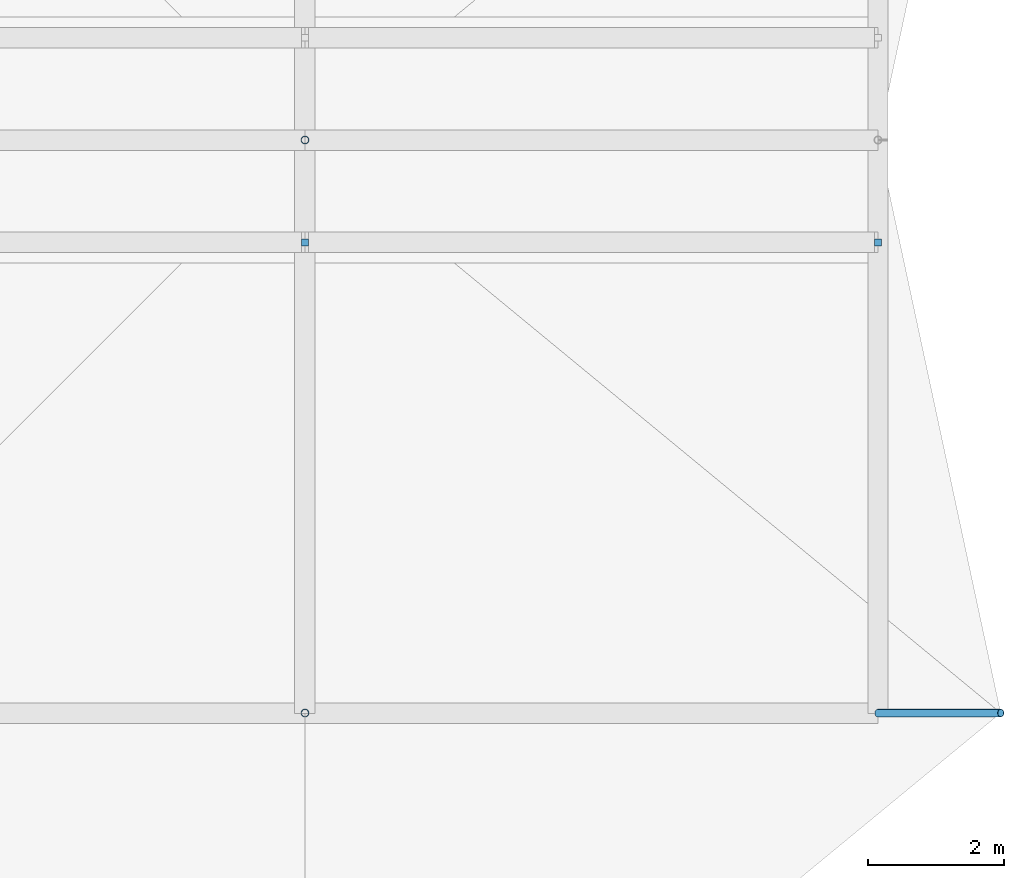
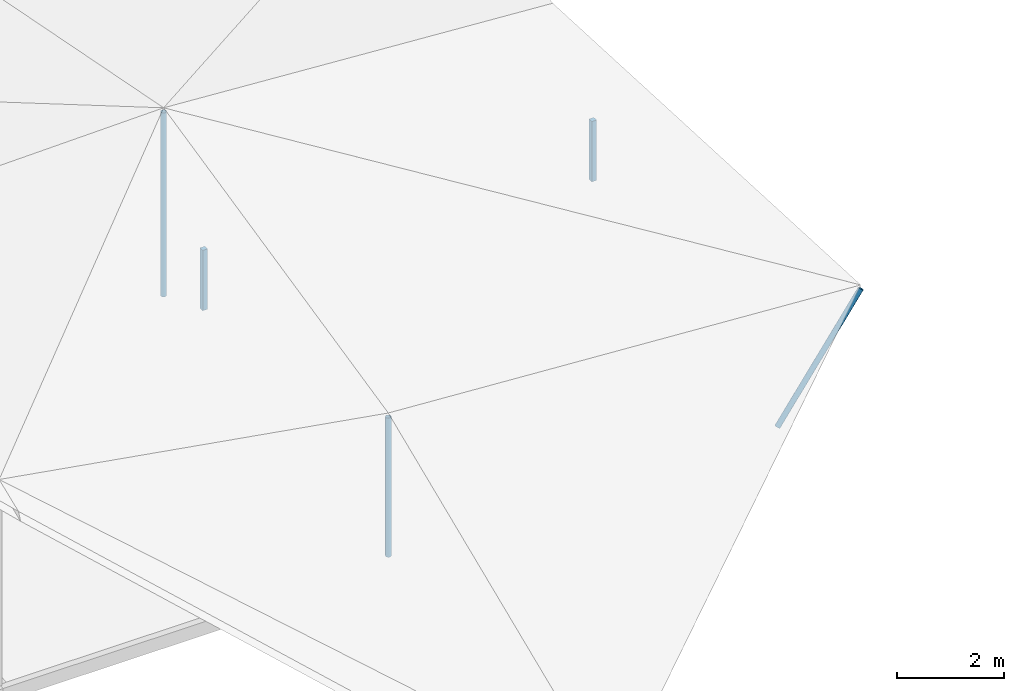
# One storey, part 36 of 46: 5 discrete accessories.
"""IFC4 building model written with IfcOpenShell, lengths in metres."""

from ifc_helpers import new_model, si_unit, direction, frame, origin, origin_2d, place, context, subcontext, project, spatial, rectangle, hollow_circle, extrude, material, layer, layer_set, material_profile, profile_set, type_object, element, save


model = new_model("IFC4")

# Units and contexts
model_context = context("Model", 3, precision=1e-05, world=origin(), true_north=direction((0.0, 1.0)))
body_context = subcontext(model_context, "Body", "Model", "MODEL_VIEW")
ifc_project = project(units=[si_unit("LENGTHUNIT", "METRE"), si_unit("AREAUNIT", "SQUARE_METRE"), si_unit("VOLUMEUNIT", "CUBIC_METRE"), si_unit("PLANEANGLEUNIT", "RADIAN"), si_unit("MASSUNIT", "GRAM", prefix="KILO")], contexts=[model_context])

# Site, building, storey
site_placement = place(None, origin())
site = spatial("IfcSite", under=ifc_project, at=site_placement, CompositionType="ELEMENT")
building_placement = place(site_placement, origin())
building = spatial("IfcBuilding", under=site, at=building_placement, Name="Rain Tree Exposition and Congress Centre", CompositionType="ELEMENT")
storey_placement = place(building_placement, frame((0.0, 0.0, 27.0)))
storey = spatial("IfcBuildingStorey", under=building, at=storey_placement, Name="ROOF VAULT CREST", CompositionType="ELEMENT", Elevation=27.0)

# Discrete accessories
ifc_material_1 = material(Name="Steel S355J2", Category="steel")
ifc_layer = layer(ifc_material_1, 0.10009765625)
ifc_layer_set = layer_set([ifc_layer], Name="Steel S355J2")
discrete_accessory_type_1 = type_object("IfcDiscreteAccessoryType", Name="Ridge lantern post 100", PredefinedType="BRACKET", material=ifc_layer_set)
for number, where, z_axis, x_axis, name in (
    (1, (235.199951171875, 174.89990234375, 2.0), (0.0, 0.0, 1.0), (1.0, 0.0, 0.0), "Lantern post SR1-11"),
    (2, (243.60009765625, 174.89990234375, 2.0), (0.0, 0.0, 1.0), (1.0, 0.0, 0.0), "Lantern post SR1-12"),
):
    element("IfcDiscreteAccessory", number, at=place(storey_placement, frame(where, z_axis=z_axis, x_axis=x_axis)), inside=storey, type_object=discrete_accessory_type_1, Name=name, PredefinedType="BRACKET", context=body_context, shape_type="SweptSolid", body=[
        extrude(rectangle(XDim=0.10009765625, YDim=0.10009765625, at=origin_2d()), origin(), (0.0, 0.0, 1.0), 1.3798828125),
    ])
ifc_material_2 = material(Name="Steel S355J2H", Category="steel")
ifc_material_profile = material_profile(ifc_material_2, hollow_circle(Radius=0.05712890625, WallThickness=0.00439453125, at=origin_2d()), Name="CHS 114x4.5")
ifc_profile_set = profile_set([ifc_material_profile], Name="Steel S355J2H")
discrete_accessory_type_2 = type_object("IfcDiscreteAccessoryType", Name="Roof skin post CHS 114x4.5", PredefinedType="BRACKET", material=ifc_profile_set)
discrete_accessory_1_placement = place(storey_placement, frame((235.199951171875, 168.0, 0.551025390625), z_axis=(0.0, 0.0, 1.0), x_axis=(1.0, 0.0, 0.0)))
element("IfcDiscreteAccessory", 3, at=discrete_accessory_1_placement, inside=storey, type_object=discrete_accessory_type_2, Name="Roof skin post B116", PredefinedType="BRACKET", context=body_context, shape_type="SweptSolid", body=[
    extrude(hollow_circle(Radius=0.05712890625, WallThickness=0.00439453125, at=origin_2d()), origin(), (0.0, 0.0, 1.0), 3.17431640625),
])
discrete_accessory_2_placement = place(storey_placement, frame((243.60009765625, 168.0, 0.551025390625), z_axis=(0.580299589292, 0.0, 0.814403086111), x_axis=(0.0, 1.0, 0.0)))
element("IfcDiscreteAccessory", 4, at=discrete_accessory_2_placement, inside=storey, type_object=discrete_accessory_type_2, Name="Roof skin post B117", PredefinedType="BRACKET", context=body_context, shape_type="SweptSolid", body=[
    extrude(hollow_circle(Radius=0.05712890625, WallThickness=0.00439453125, at=origin_2d()), origin(), (0.0, 0.0, 1.0), 3.1015625),
])
discrete_accessory_3_placement = place(storey_placement, frame((235.199951171875, 176.39990234375, 1.39990234375), z_axis=(0.0, 0.0, 1.0), x_axis=(1.0, 0.0, 0.0)))
element("IfcDiscreteAccessory", 5, at=discrete_accessory_3_placement, inside=storey, type_object=discrete_accessory_type_2, Name="Roof skin post B129", PredefinedType="BRACKET", context=body_context, shape_type="SweptSolid", body=[
    extrude(hollow_circle(Radius=0.05712890625, WallThickness=0.00439453125, at=origin_2d()), origin(), (0.0, 0.0, 1.0), 4.197265625),
])

save(model, "model.ifc")
